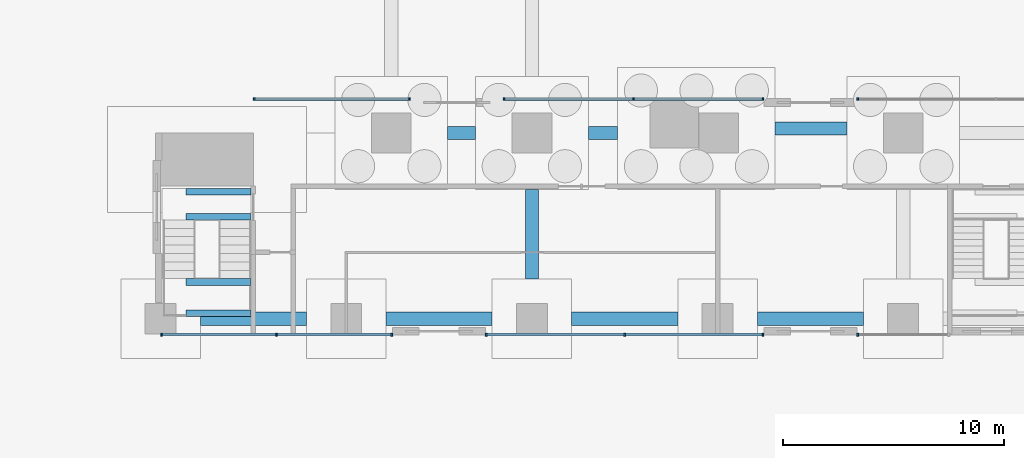
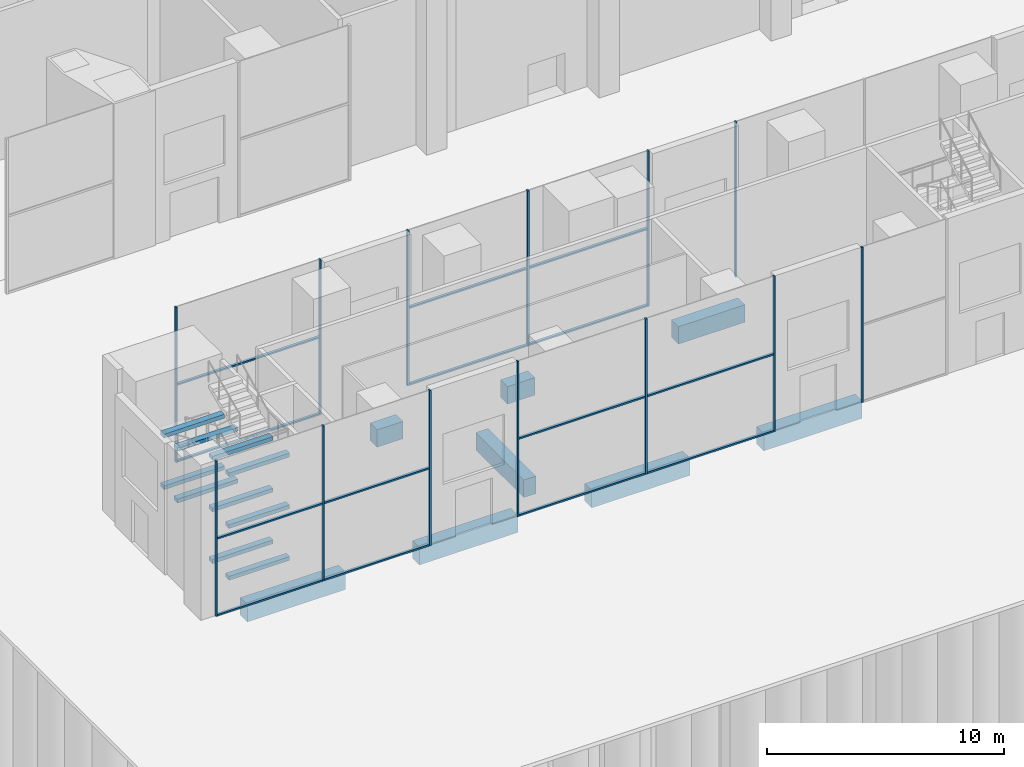
# One storey, part 4 of 31: 27 members, 18 beams, 6 elements without a shape of their own.
"""IFC4 building model written with IfcOpenShell, lengths in metres."""

from ifc_helpers import new_model, si_unit, direction, frame, origin, origin_2d, place, context, subcontext, project, spatial, rectangle, extrude, material, layer, layer_set, material_profile, profile_set, type_object, element, aggregate, save


model = new_model("IFC4")

# Units and contexts
model_context = context("Model", 3, precision=1e-05, world=origin(), true_north=direction((0.0, 1.0)))
body_context = subcontext(model_context, "Body", "Model", "MODEL_VIEW")
ifc_project = project(units=[si_unit("LENGTHUNIT", "METRE"), si_unit("AREAUNIT", "SQUARE_METRE"), si_unit("VOLUMEUNIT", "CUBIC_METRE"), si_unit("PLANEANGLEUNIT", "RADIAN"), si_unit("MASSUNIT", "GRAM", prefix="KILO")], contexts=[model_context])

# Site, building, storey
site_placement = place(None, origin())
site = spatial("IfcSite", under=ifc_project, at=site_placement, CompositionType="ELEMENT")
building_placement = place(site_placement, origin())
building = spatial("IfcBuilding", under=site, at=building_placement, Name="Marenta Gate Hotel Tower", CompositionType="ELEMENT")
storey_placement = place(building_placement, origin())
storey = spatial("IfcBuildingStorey", under=building, at=storey_placement, Name="L00", CompositionType="ELEMENT", Elevation=0.0)

# Beams
ifc_material_1 = material(Name="Concrete C40", Category="concrete")
ifc_material_profile_1 = material_profile(ifc_material_1, rectangle(XDim=0.60009765625, YDim=0.89990234375, at=origin_2d()), Name="600 x 900")
ifc_profile_set_1 = profile_set([ifc_material_profile_1], Name="Concrete C40")
beam_type_1 = type_object("IfcBeamType", Name="Ground beam 600 x 900 C40", PredefinedType="BEAM", material=ifc_profile_set_1)
for number, where, z_axis, x_axis, name in (
    (1, (-36.0, -25.199951171875, -0.75), (1.0, 0.0, 0.0), (0.0, 1.0, 0.0), "L00-GB-10"),
    (2, (-27.60009765625, -25.199951171875, -0.75), (1.0, 0.0, 0.0), (0.0, 1.0, 0.0), "L00-GB-18"),
    (3, (-19.199951171875, -25.199951171875, -0.75), (1.0, 0.0, 0.0), (0.0, 1.0, 0.0), "L00-GB-23"),
):
    element("IfcBeam", number, at=place(storey_placement, frame(where, z_axis=z_axis, x_axis=x_axis)), inside=storey, type_object=beam_type_1, Name=name, PredefinedType="BEAM", context=body_context, shape_type="SweptSolid", body=[
        extrude(rectangle(XDim=0.60009765625, YDim=0.89990234375, at=origin_2d()), origin(), (0.0, 0.0, 1.0), 4.800048828125),
    ])
beam_1_placement = place(storey_placement, frame((-21.0, -23.39990234375, -0.75), z_axis=(0.0, 1.0, 0.0), x_axis=(-1.0, 0.0, 0.0)))
element("IfcBeam", 4, at=beam_1_placement, inside=storey, type_object=beam_type_1, Name="L00-GB-24", PredefinedType="BEAM", context=body_context, shape_type="SweptSolid", body=[
    extrude(rectangle(XDim=0.60009765625, YDim=0.89990234375, at=origin_2d()), origin(), (0.0, 0.0, 1.0), 4.0498046875),
])
beam_2_placement = place(storey_placement, frame((-18.449951171875, -16.800048828125, -0.75), z_axis=(1.0, 0.0, 0.0), x_axis=(0.0, 1.0, 0.0)))
element("IfcBeam", 5, at=beam_2_placement, inside=storey, type_object=beam_type_1, Name="L00-GB-25", PredefinedType="BEAM", context=body_context, shape_type="SweptSolid", body=[
    extrude(rectangle(XDim=0.60009765625, YDim=0.89990234375, at=origin_2d()), origin(), (0.0, 0.0, 1.0), 1.333984375),
])
beam_3_placement = place(storey_placement, frame((-10.800048828125, -25.199951171875, -0.75), z_axis=(1.0, 0.0, 0.0), x_axis=(0.0, 1.0, 0.0)))
element("IfcBeam", 6, at=beam_3_placement, inside=storey, type_object=beam_type_1, Name="L00-GB-34", PredefinedType="BEAM", context=body_context, shape_type="SweptSolid", body=[
    extrude(rectangle(XDim=0.60009765625, YDim=0.89990234375, at=origin_2d()), origin(), (0.0, 0.0, 1.0), 4.800048828125),
])
beam_4_placement = place(storey_placement, frame((-9.99609375, -16.58740234375, -0.75), z_axis=(1.0, 0.0, 0.0), x_axis=(0.0, 1.0, 0.0)))
element("IfcBeam", 7, at=beam_4_placement, inside=storey, type_object=beam_type_1, Name="L00-GB-35", PredefinedType="BEAM", context=body_context, shape_type="SweptSolid", body=[
    extrude(rectangle(XDim=0.60009765625, YDim=0.89990234375, at=origin_2d()), origin(), (0.0, 0.0, 1.0), 3.24609375),
])
beam_5_placement = place(storey_placement, frame((-24.81298828125, -16.800048828125, -0.75), z_axis=(1.0, 0.0, 0.0), x_axis=(0.0, 1.0, 0.0)))
element("IfcBeam", 8, at=beam_5_placement, inside=storey, type_object=beam_type_1, Name="L00-GB-76", PredefinedType="BEAM", context=body_context, shape_type="SweptSolid", body=[
    extrude(rectangle(XDim=0.60009765625, YDim=0.89990234375, at=origin_2d()), origin(), (0.0, 0.0, 1.0), 1.262939453125),
])

# Curtain wall, members
ifc_material_2 = material(Name="Tinted insulated glass in bronze anodised frame", Category="glass")
ifc_layer = layer(ifc_material_2, 0.1298828125)
ifc_layer_set = layer_set([ifc_layer], Name="Tinted insulated glass in bronze anodised frame")
curtain_wall_type = type_object("IfcCurtainWallType", Name="Podium shopfront glazing CW5", PredefinedType="NOTDEFINED", material=ifc_layer_set)
curtain_wall_1_placement = place(storey_placement, origin())
curtain_wall_1 = element("IfcCurtainWall", 9, at=curtain_wall_1_placement, inside=storey, type_object=curtain_wall_type, Name="CW5 run SB-S000", PredefinedType="NOTDEFINED")
ifc_material_3 = material(Name="Bronze anodised aluminium", Category="aluminium")
ifc_material_profile_2 = material_profile(ifc_material_3, rectangle(XDim=0.1298828125, YDim=0.080078125, at=origin_2d()), Name="Mullion CW5 80x130 bronze anodised aluminium")
ifc_profile_set_2 = profile_set([ifc_material_profile_2], Name="Bronze anodised aluminium")
member_type_1 = type_object("IfcMemberType", Name="Mullion CW5 80x130 bronze anodised aluminium", PredefinedType="MULLION", material=ifc_profile_set_2)
member_1_placement = place(storey_placement, frame((-37.760009765625, -25.9189453125, 0.0), z_axis=(0.0, 0.0, 1.0), x_axis=(0.0, 1.0, 0.0)))
member_1 = element("IfcMember", 10, at=member_1_placement, type_object=member_type_1, Name="CW5 mullion 1", PredefinedType="MULLION", context=body_context, shape_type="SweptSolid", body=[
    extrude(rectangle(XDim=0.1298828125, YDim=0.080078125, at=origin_2d()), origin(), (0.0, 0.0, 1.0), 8.0),
])
member_2_placement = place(storey_placement, frame((-32.550048828125, -25.9189453125, 0.0), z_axis=(0.0, 0.0, 1.0), x_axis=(0.0, 1.0, 0.0)))
member_2 = element("IfcMember", 11, at=member_2_placement, type_object=member_type_1, Name="CW5 mullion 2", PredefinedType="MULLION", context=body_context, shape_type="SweptSolid", body=[
    extrude(rectangle(XDim=0.1298828125, YDim=0.080078125, at=origin_2d()), origin(), (0.0, 0.0, 1.0), 8.0),
])
member_3_placement = place(storey_placement, frame((-27.340087890625, -25.9189453125, 0.0), z_axis=(0.0, 0.0, 1.0), x_axis=(0.0, 1.0, 0.0)))
member_3 = element("IfcMember", 12, at=member_3_placement, type_object=member_type_1, Name="CW5 mullion 3", PredefinedType="MULLION", context=body_context, shape_type="SweptSolid", body=[
    extrude(rectangle(XDim=0.1298828125, YDim=0.080078125, at=origin_2d()), origin(), (0.0, 0.0, 1.0), 8.0),
])

curtain_wall_2_placement = place(storey_placement, origin())
curtain_wall_2 = element("IfcCurtainWall", 13, at=curtain_wall_2_placement, inside=storey, type_object=curtain_wall_type, Name="CW5 run SB-S001", PredefinedType="NOTDEFINED")
member_4_placement = place(storey_placement, frame((-23.06005859375, -25.9189453125, 0.0), z_axis=(0.0, 0.0, 1.0), x_axis=(0.0, 1.0, 0.0)))
member_4 = element("IfcMember", 14, at=member_4_placement, type_object=member_type_1, Name="CW5 mullion 1", PredefinedType="MULLION", context=body_context, shape_type="SweptSolid", body=[
    extrude(rectangle(XDim=0.1298828125, YDim=0.080078125, at=origin_2d()), origin(), (0.0, 0.0, 1.0), 8.0),
])
member_5_placement = place(storey_placement, frame((-16.800048828125, -25.9189453125, 0.0), z_axis=(0.0, 0.0, 1.0), x_axis=(0.0, 1.0, 0.0)))
member_5 = element("IfcMember", 15, at=member_5_placement, type_object=member_type_1, Name="CW5 mullion 2", PredefinedType="MULLION", context=body_context, shape_type="SweptSolid", body=[
    extrude(rectangle(XDim=0.1298828125, YDim=0.080078125, at=origin_2d()), origin(), (0.0, 0.0, 1.0), 8.0),
])
member_6_placement = place(storey_placement, frame((-10.5400390625, -25.9189453125, 0.0), z_axis=(0.0, 0.0, 1.0), x_axis=(0.0, 1.0, 0.0)))
member_6 = element("IfcMember", 16, at=member_6_placement, type_object=member_type_1, Name="CW5 mullion 3", PredefinedType="MULLION", context=body_context, shape_type="SweptSolid", body=[
    extrude(rectangle(XDim=0.1298828125, YDim=0.080078125, at=origin_2d()), origin(), (0.0, 0.0, 1.0), 8.0),
])

# Curtain wall, member
curtain_wall_3_placement = place(storey_placement, origin())
curtain_wall_3 = element("IfcCurtainWall", 17, at=curtain_wall_3_placement, inside=storey, type_object=curtain_wall_type, Name="CW5 run SB-S002", PredefinedType="NOTDEFINED")
member_7_placement = place(storey_placement, frame((-6.260009765625, -25.9189453125, 0.0), z_axis=(0.0, 0.0, 1.0), x_axis=(0.0, 1.0, 0.0)))
member_7 = element("IfcMember", 18, at=member_7_placement, type_object=member_type_1, Name="CW5 mullion 1", PredefinedType="MULLION", context=body_context, shape_type="SweptSolid", body=[
    extrude(rectangle(XDim=0.1298828125, YDim=0.080078125, at=origin_2d()), origin(), (0.0, 0.0, 1.0), 8.0),
])
aggregate(curtain_wall_3, [member_7])

curtain_wall_4_placement = place(storey_placement, origin())
curtain_wall_4 = element("IfcCurtainWall", 19, at=curtain_wall_4_placement, inside=storey, type_object=curtain_wall_type, Name="CW5 run SB-N002", PredefinedType="NOTDEFINED")
member_8_placement = place(storey_placement, frame((-6.260009765625, -15.255859375, 0.0), z_axis=(0.0, 0.0, 1.0), x_axis=(0.0, -1.0, 0.0)))
member_8 = element("IfcMember", 20, at=member_8_placement, type_object=member_type_1, Name="CW5 mullion 3", PredefinedType="MULLION", context=body_context, shape_type="SweptSolid", body=[
    extrude(rectangle(XDim=0.1298828125, YDim=0.080078125, at=origin_2d()), origin(), (0.0, 0.0, 1.0), 8.0),
])
aggregate(curtain_wall_4, [member_8])

# Curtain wall, members
curtain_wall_5_placement = place(storey_placement, origin())
curtain_wall_5 = element("IfcCurtainWall", 21, at=curtain_wall_5_placement, inside=storey, type_object=curtain_wall_type, Name="CW5 run SB-N003", PredefinedType="NOTDEFINED")
member_9_placement = place(storey_placement, frame((-10.5400390625, -15.255859375, 0.0), z_axis=(0.0, 0.0, 1.0), x_axis=(0.0, -1.0, 0.0)))
member_9 = element("IfcMember", 22, at=member_9_placement, type_object=member_type_1, Name="CW5 mullion 1", PredefinedType="MULLION", context=body_context, shape_type="SweptSolid", body=[
    extrude(rectangle(XDim=0.1298828125, YDim=0.080078125, at=origin_2d()), origin(), (0.0, 0.0, 1.0), 8.0),
])
member_10_placement = place(storey_placement, frame((-16.39990234375, -15.255859375, 0.0), z_axis=(0.0, 0.0, 1.0), x_axis=(0.0, -1.0, 0.0)))
member_10 = element("IfcMember", 23, at=member_10_placement, type_object=member_type_1, Name="CW5 mullion 2", PredefinedType="MULLION", context=body_context, shape_type="SweptSolid", body=[
    extrude(rectangle(XDim=0.1298828125, YDim=0.080078125, at=origin_2d()), origin(), (0.0, 0.0, 1.0), 8.0),
])
member_11_placement = place(storey_placement, frame((-22.260009765625, -15.255859375, 0.0), z_axis=(0.0, 0.0, 1.0), x_axis=(0.0, -1.0, 0.0)))
member_11 = element("IfcMember", 24, at=member_11_placement, type_object=member_type_1, Name="CW5 mullion 3", PredefinedType="MULLION", context=body_context, shape_type="SweptSolid", body=[
    extrude(rectangle(XDim=0.1298828125, YDim=0.080078125, at=origin_2d()), origin(), (0.0, 0.0, 1.0), 8.0),
])

curtain_wall_6_placement = place(storey_placement, origin())
curtain_wall_6 = element("IfcCurtainWall", 25, at=curtain_wall_6_placement, inside=storey, type_object=curtain_wall_type, Name="CW5 run SB-N004", PredefinedType="NOTDEFINED")
member_12_placement = place(storey_placement, frame((-26.5400390625, -15.255859375, 0.0), z_axis=(0.0, 0.0, 1.0), x_axis=(0.0, -1.0, 0.0)))
member_12 = element("IfcMember", 26, at=member_12_placement, type_object=member_type_1, Name="CW5 mullion 1", PredefinedType="MULLION", context=body_context, shape_type="SweptSolid", body=[
    extrude(rectangle(XDim=0.1298828125, YDim=0.080078125, at=origin_2d()), origin(), (0.0, 0.0, 1.0), 8.0),
])
member_13_placement = place(storey_placement, frame((-33.56005859375, -15.255859375, 0.0), z_axis=(0.0, 0.0, 1.0), x_axis=(0.0, -1.0, 0.0)))
member_13 = element("IfcMember", 27, at=member_13_placement, type_object=member_type_1, Name="CW5 mullion 2", PredefinedType="MULLION", context=body_context, shape_type="SweptSolid", body=[
    extrude(rectangle(XDim=0.1298828125, YDim=0.080078125, at=origin_2d()), origin(), (0.0, 0.0, 1.0), 8.0),
])

# Beams
ifc_material_4 = material(Name="Concrete C40", Category="concrete")
ifc_material_profile_3 = material_profile(ifc_material_4, rectangle(XDim=0.300048828125, YDim=0.199951171875, at=origin_2d()), Name="300 x 200")
ifc_profile_set_3 = profile_set([ifc_material_profile_3], Name="Concrete C40")
beam_type_2 = type_object("IfcBeamType", Name="Stair landing trimmer 300 x 200 C40", PredefinedType="BEAM", material=ifc_profile_set_3)
for number, where, z_axis, x_axis, name in (
    (28, (-36.64990234375, -24.949951171875, 1.033203125), (1.0, 0.0, 0.0), (0.0, 1.0, 0.0), "L00-PX1-LT-1"),
    (29, (-36.64990234375, -23.5400390625, 1.033203125), (1.0, 0.0, 0.0), (0.0, 1.0, 0.0), "L00-PX1-LT-2"),
    (30, (-36.64990234375, -20.580078125, 2.36669921875), (1.0, 0.0, 0.0), (0.0, 1.0, 0.0), "L00-PX1-LT-3"),
    (31, (-36.64990234375, -19.449951171875, 2.36669921875), (1.0, 0.0, 0.0), (0.0, 1.0, 0.0), "L00-PX1-LT-4"),
    (32, (-36.64990234375, -24.949951171875, 3.699951171875), (1.0, 0.0, 0.0), (0.0, 1.0, 0.0), "L00-PX1-LT-5"),
    (33, (-36.64990234375, -23.5400390625, 3.699951171875), (1.0, 0.0, 0.0), (0.0, 1.0, 0.0), "L00-PX1-LT-6"),
    (34, (-36.64990234375, -20.580078125, 5.033203125), (1.0, 0.0, 0.0), (0.0, 1.0, 0.0), "L00-PX1-LT-7"),
    (35, (-36.64990234375, -19.449951171875, 5.033203125), (1.0, 0.0, 0.0), (0.0, 1.0, 0.0), "L00-PX1-LT-8"),
    (36, (-36.64990234375, -24.949951171875, 6.36669921875), (1.0, 0.0, 0.0), (0.0, 1.0, 0.0), "L00-PX1-LT-9"),
    (37, (-36.64990234375, -23.5400390625, 6.36669921875), (1.0, 0.0, 0.0), (0.0, 1.0, 0.0), "L00-PX1-LT-10"),
):
    element("IfcBeam", number, at=place(storey_placement, frame(where, z_axis=z_axis, x_axis=x_axis)), inside=storey, type_object=beam_type_2, Name=name, PredefinedType="BEAM", context=body_context, shape_type="SweptSolid", body=[
        extrude(rectangle(XDim=0.300048828125, YDim=0.199951171875, at=origin_2d()), origin(), (0.0, 0.0, 1.0), 2.949951171875),
    ])

# Member
ifc_material_5 = material(Name="Bronze anodised aluminium", Category="aluminium")
ifc_material_profile_4 = material_profile(ifc_material_5, rectangle(XDim=0.1298828125, YDim=0.080078125, at=origin_2d()), Name="Transom CW5 80x130 bronze anodised aluminium")
ifc_profile_set_4 = profile_set([ifc_material_profile_4], Name="Bronze anodised aluminium")
member_type_2 = type_object("IfcMemberType", Name="Transom CW5 80x130 bronze anodised aluminium", PredefinedType="USERDEFINED", material=ifc_profile_set_4)
member_14_placement = place(storey_placement, frame((-37.719970703125, -25.9189453125, 0.0400390625), z_axis=(1.0, 0.0, 0.0), x_axis=(0.0, 1.0, 0.0)))
member_14 = element("IfcMember", 38, at=member_14_placement, type_object=member_type_2, Name="CW5 transom 1.1", ObjectType="TRANSOM", PredefinedType="USERDEFINED", context=body_context, shape_type="SweptSolid", body=[
    extrude(rectangle(XDim=0.1298828125, YDim=0.080078125, at=origin_2d()), origin(), (0.0, 0.0, 1.0), 5.1298828125),
])

member_15_placement = place(storey_placement, frame((-37.719970703125, -25.9189453125, 4.0), z_axis=(1.0, 0.0, 0.0), x_axis=(0.0, 1.0, 0.0)))
member_15 = element("IfcMember", 39, at=member_15_placement, type_object=member_type_2, Name="CW5 transom 1.2", ObjectType="TRANSOM", PredefinedType="USERDEFINED", context=body_context, shape_type="SweptSolid", body=[
    extrude(rectangle(XDim=0.1298828125, YDim=0.080078125, at=origin_2d()), origin(), (0.0, 0.0, 1.0), 5.1298828125),
])

member_16_placement = place(storey_placement, frame((-32.510009765625, -25.9189453125, 0.0400390625), z_axis=(1.0, 0.0, 0.0), x_axis=(0.0, 1.0, 0.0)))
member_16 = element("IfcMember", 40, at=member_16_placement, type_object=member_type_2, Name="CW5 transom 2.1", ObjectType="TRANSOM", PredefinedType="USERDEFINED", context=body_context, shape_type="SweptSolid", body=[
    extrude(rectangle(XDim=0.1298828125, YDim=0.080078125, at=origin_2d()), origin(), (0.0, 0.0, 1.0), 5.130126953125),
])

member_17_placement = place(storey_placement, frame((-32.510009765625, -25.9189453125, 4.0), z_axis=(1.0, 0.0, 0.0), x_axis=(0.0, 1.0, 0.0)))
member_17 = element("IfcMember", 41, at=member_17_placement, type_object=member_type_2, Name="CW5 transom 2.2", ObjectType="TRANSOM", PredefinedType="USERDEFINED", context=body_context, shape_type="SweptSolid", body=[
    extrude(rectangle(XDim=0.1298828125, YDim=0.080078125, at=origin_2d()), origin(), (0.0, 0.0, 1.0), 5.130126953125),
])

aggregate(curtain_wall_1, [member_1, member_2, member_3, member_14, member_15, member_16, member_17])

member_18_placement = place(storey_placement, frame((-23.02001953125, -25.9189453125, 0.0400390625), z_axis=(1.0, 0.0, 0.0), x_axis=(0.0, 1.0, 0.0)))
member_18 = element("IfcMember", 42, at=member_18_placement, type_object=member_type_2, Name="CW5 transom 1.1", ObjectType="TRANSOM", PredefinedType="USERDEFINED", context=body_context, shape_type="SweptSolid", body=[
    extrude(rectangle(XDim=0.1298828125, YDim=0.080078125, at=origin_2d()), origin(), (0.0, 0.0, 1.0), 6.179931640625),
])

member_19_placement = place(storey_placement, frame((-23.02001953125, -25.9189453125, 4.0), z_axis=(1.0, 0.0, 0.0), x_axis=(0.0, 1.0, 0.0)))
member_19 = element("IfcMember", 43, at=member_19_placement, type_object=member_type_2, Name="CW5 transom 1.2", ObjectType="TRANSOM", PredefinedType="USERDEFINED", context=body_context, shape_type="SweptSolid", body=[
    extrude(rectangle(XDim=0.1298828125, YDim=0.080078125, at=origin_2d()), origin(), (0.0, 0.0, 1.0), 6.179931640625),
])

member_20_placement = place(storey_placement, frame((-16.760009765625, -25.9189453125, 0.0400390625), z_axis=(1.0, 0.0, 0.0), x_axis=(0.0, 1.0, 0.0)))
member_20 = element("IfcMember", 44, at=member_20_placement, type_object=member_type_2, Name="CW5 transom 2.1", ObjectType="TRANSOM", PredefinedType="USERDEFINED", context=body_context, shape_type="SweptSolid", body=[
    extrude(rectangle(XDim=0.1298828125, YDim=0.080078125, at=origin_2d()), origin(), (0.0, 0.0, 1.0), 6.179931640625),
])

member_21_placement = place(storey_placement, frame((-16.760009765625, -25.9189453125, 4.0), z_axis=(1.0, 0.0, 0.0), x_axis=(0.0, 1.0, 0.0)))
member_21 = element("IfcMember", 45, at=member_21_placement, type_object=member_type_2, Name="CW5 transom 2.2", ObjectType="TRANSOM", PredefinedType="USERDEFINED", context=body_context, shape_type="SweptSolid", body=[
    extrude(rectangle(XDim=0.1298828125, YDim=0.080078125, at=origin_2d()), origin(), (0.0, 0.0, 1.0), 6.179931640625),
])

aggregate(curtain_wall_2, [member_4, member_5, member_6, member_18, member_19, member_20, member_21])

member_22_placement = place(storey_placement, frame((-10.580078125, -15.255859375, 0.0400390625), z_axis=(-1.0, 0.0, 0.0), x_axis=(0.0, -1.0, 0.0)))
member_22 = element("IfcMember", 46, at=member_22_placement, type_object=member_type_2, Name="CW5 transom 1.1", ObjectType="TRANSOM", PredefinedType="USERDEFINED", context=body_context, shape_type="SweptSolid", body=[
    extrude(rectangle(XDim=0.1298828125, YDim=0.080078125, at=origin_2d()), origin(), (0.0, 0.0, 1.0), 5.780029296875),
])

member_23_placement = place(storey_placement, frame((-10.580078125, -15.255859375, 4.0), z_axis=(-1.0, 0.0, 0.0), x_axis=(0.0, -1.0, 0.0)))
member_23 = element("IfcMember", 47, at=member_23_placement, type_object=member_type_2, Name="CW5 transom 1.2", ObjectType="TRANSOM", PredefinedType="USERDEFINED", context=body_context, shape_type="SweptSolid", body=[
    extrude(rectangle(XDim=0.1298828125, YDim=0.080078125, at=origin_2d()), origin(), (0.0, 0.0, 1.0), 5.780029296875),
])

member_24_placement = place(storey_placement, frame((-16.43994140625, -15.255859375, 0.0400390625), z_axis=(-1.0, 0.0, 0.0), x_axis=(0.0, -1.0, 0.0)))
member_24 = element("IfcMember", 48, at=member_24_placement, type_object=member_type_2, Name="CW5 transom 2.1", ObjectType="TRANSOM", PredefinedType="USERDEFINED", context=body_context, shape_type="SweptSolid", body=[
    extrude(rectangle(XDim=0.1298828125, YDim=0.080078125, at=origin_2d()), origin(), (0.0, 0.0, 1.0), 5.780029296875),
])

member_25_placement = place(storey_placement, frame((-16.43994140625, -15.255859375, 4.0), z_axis=(-1.0, 0.0, 0.0), x_axis=(0.0, -1.0, 0.0)))
member_25 = element("IfcMember", 49, at=member_25_placement, type_object=member_type_2, Name="CW5 transom 2.2", ObjectType="TRANSOM", PredefinedType="USERDEFINED", context=body_context, shape_type="SweptSolid", body=[
    extrude(rectangle(XDim=0.1298828125, YDim=0.080078125, at=origin_2d()), origin(), (0.0, 0.0, 1.0), 5.780029296875),
])

aggregate(curtain_wall_5, [member_9, member_10, member_11, member_22, member_23, member_24, member_25])

member_26_placement = place(storey_placement, frame((-26.580078125, -15.255859375, 0.0400390625), z_axis=(-1.0, 0.0, 0.0), x_axis=(0.0, -1.0, 0.0)))
member_26 = element("IfcMember", 50, at=member_26_placement, type_object=member_type_2, Name="CW5 transom 1.1", ObjectType="TRANSOM", PredefinedType="USERDEFINED", context=body_context, shape_type="SweptSolid", body=[
    extrude(rectangle(XDim=0.1298828125, YDim=0.080078125, at=origin_2d()), origin(), (0.0, 0.0, 1.0), 6.93994140625),
])

member_27_placement = place(storey_placement, frame((-26.580078125, -15.255859375, 4.0), z_axis=(-1.0, 0.0, 0.0), x_axis=(0.0, -1.0, 0.0)))
member_27 = element("IfcMember", 51, at=member_27_placement, type_object=member_type_2, Name="CW5 transom 1.2", ObjectType="TRANSOM", PredefinedType="USERDEFINED", context=body_context, shape_type="SweptSolid", body=[
    extrude(rectangle(XDim=0.1298828125, YDim=0.080078125, at=origin_2d()), origin(), (0.0, 0.0, 1.0), 6.93994140625),
])

aggregate(curtain_wall_6, [member_12, member_13, member_26, member_27])

save(model, "model.ifc")
